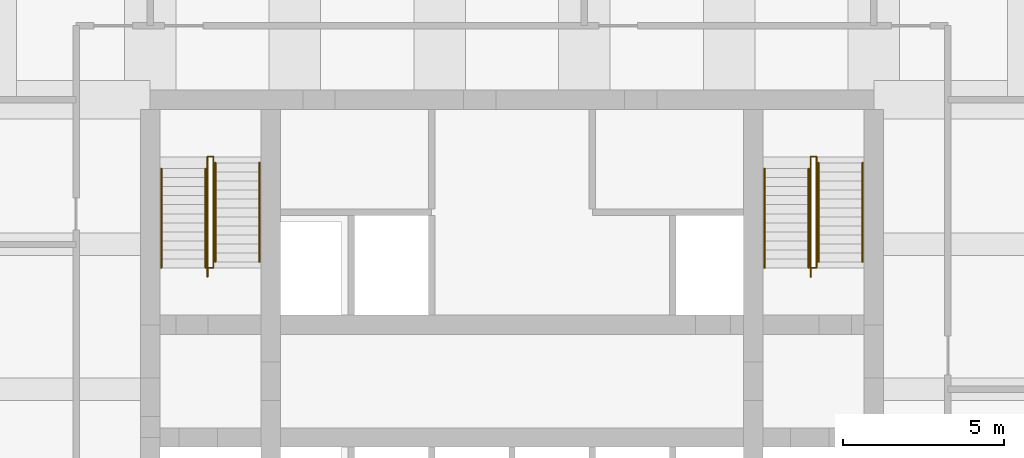
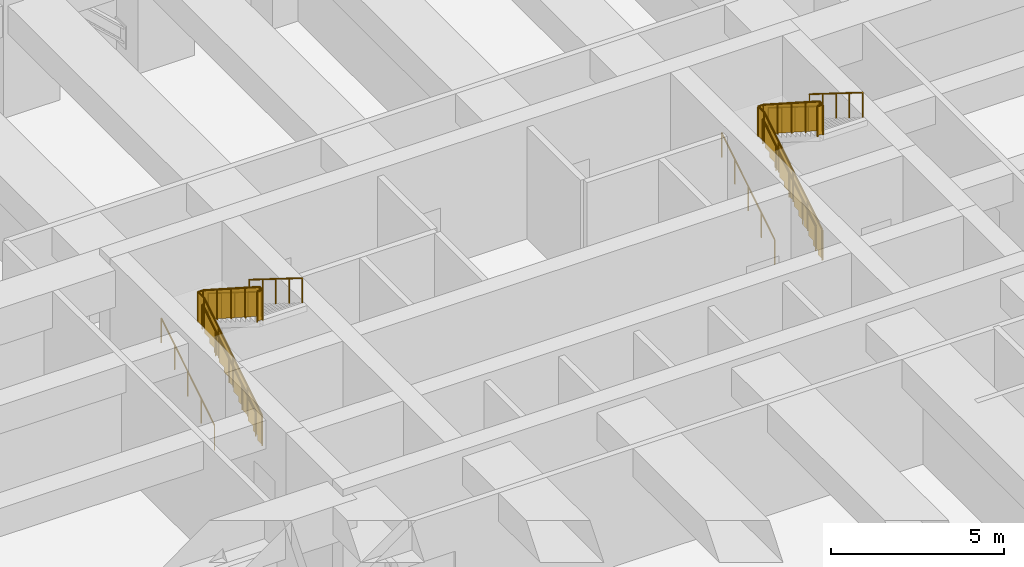
# One storey, part 16 of 16: 12 railings.
"""IFC4 building model written with IfcOpenShell, lengths in metres."""

from ifc_helpers import new_model, si_unit, direction, frame, origin, origin_2d, place, context, subcontext, project, spatial, polyline, circle, outline, extrude, material, type_object, element, save


model = new_model("IFC4")

# Units and contexts
model_context = context("Model", 3, precision=1e-05, world=origin(), true_north=direction((0.0, 1.0)))
body_context = subcontext(model_context, "Body", "Model", "MODEL_VIEW")
ifc_project = project(units=[si_unit("LENGTHUNIT", "METRE"), si_unit("AREAUNIT", "SQUARE_METRE"), si_unit("VOLUMEUNIT", "CUBIC_METRE"), si_unit("PLANEANGLEUNIT", "RADIAN"), si_unit("MASSUNIT", "GRAM", prefix="KILO")], contexts=[model_context])

# Site, building, storey
site_placement = place(None, origin())
site = spatial("IfcSite", under=ifc_project, at=site_placement, CompositionType="ELEMENT")
building_placement = place(site_placement, origin())
building = spatial("IfcBuilding", under=site, at=building_placement, Name="Kilele Tower Hotel", CompositionType="ELEMENT")
storey_placement = place(building_placement, frame((0.0, 0.0, 85.699951171875)))
storey = spatial("IfcBuildingStorey", under=building, at=storey_placement, Name="L21", CompositionType="ELEMENT", Elevation=85.699951171875)

# Railings
ifc_material_1 = material(Name="Steel handrail", Category="steel")
railing_type_1 = type_object("IfcRailingType", Name="Handrail 900", PredefinedType="HANDRAIL", material=ifc_material_1)
for number, where, name in (
    (1, (13.85009765625, 21.77490234375, 0.175048828125), "Handrail ST1 flight 1"),
    (2, (15.22509765625, 21.77490234375, 0.175048828125), "Handrail ST1 flight 1"),
):
    element("IfcRailing", number, at=place(storey_placement, frame(where)), inside=storey, type_object=railing_type_1, Name=name, PredefinedType="HANDRAIL", context=body_context, shape_type="SweptSolid", body=[
        extrude(circle(Radius=0.02490234375, at=origin_2d()), frame((0.0, 0.0, 0.875), z_axis=(0.0, 0.847998304005, 0.529998940003), x_axis=(-1.0, 0.0, 0.0)), (0.0, 0.0, 1.0), 3.632080078125),
        extrude(circle(Radius=0.02001953125, at=origin_2d()), origin(), (0.0, 0.0, 1.0), 0.849853515625),
        extrude(circle(Radius=0.02001953125, at=origin_2d()), frame((0.0, 0.77001953125, 0.481201171875)), (0.0, 0.0, 1.0), 0.849853515625),
        extrude(circle(Radius=0.02001953125, at=origin_2d()), frame((0.0, 1.5400390625, 0.96240234375)), (0.0, 0.0, 1.0), 0.849853515625),
        extrude(circle(Radius=0.02001953125, at=origin_2d()), frame((0.0, 2.31005859375, 1.44384765625)), (0.0, 0.0, 1.0), 0.849853515625),
        extrude(circle(Radius=0.02001953125, at=origin_2d()), frame((0.0, 3.080078125, 1.925048828125)), (0.0, 0.0, 1.0), 0.849853515625),
    ])
for number, where, name in (
    (3, (15.52490234375, 25.0400390625, 2.275146484375), "Handrail ST1 flight 2"),
    (4, (16.89990234375, 25.0400390625, 2.275146484375), "Handrail ST1 flight 2"),
):
    element("IfcRailing", number, at=place(storey_placement, frame(where)), inside=storey, type_object=railing_type_1, Name=name, PredefinedType="HANDRAIL", context=body_context, shape_type="SweptSolid", body=[
        extrude(circle(Radius=0.02490234375, at=origin_2d()), frame((0.0, 0.0, 0.875), z_axis=(0.0, -0.848028513186, 0.529950602248), x_axis=(1.0, 0.0, 0.0)), (0.0, 0.0, 1.0), 3.632080078125),
        extrude(circle(Radius=0.02001953125, at=origin_2d()), origin(), (0.0, 0.0, 1.0), 0.849853515625),
        extrude(circle(Radius=0.02001953125, at=origin_2d()), frame((0.0, -0.77001953125, 0.481201171875)), (0.0, 0.0, 1.0), 0.849853515625),
        extrude(circle(Radius=0.02001953125, at=origin_2d()), frame((0.0, -1.5400390625, 0.96240234375)), (0.0, 0.0, 1.0), 0.849853515625),
        extrude(circle(Radius=0.02001953125, at=origin_2d()), frame((0.0, -2.31005859375, 1.443603515625)), (0.0, 0.0, 1.0), 0.849853515625),
        extrude(circle(Radius=0.02001953125, at=origin_2d()), frame((0.0, -3.080078125, 1.9248046875)), (0.0, 0.0, 1.0), 0.849853515625),
    ])
for number, where, name in (
    (5, (32.60009765625, 21.77490234375, 0.175048828125), "Handrail ST2 flight 1"),
    (6, (33.97509765625, 21.77490234375, 0.175048828125), "Handrail ST2 flight 1"),
):
    element("IfcRailing", number, at=place(storey_placement, frame(where)), inside=storey, type_object=railing_type_1, Name=name, PredefinedType="HANDRAIL", context=body_context, shape_type="SweptSolid", body=[
        extrude(circle(Radius=0.02490234375, at=origin_2d()), frame((0.0, 0.0, 0.875), z_axis=(0.0, 0.847998304005, 0.529998940003), x_axis=(-1.0, 0.0, 0.0)), (0.0, 0.0, 1.0), 3.632080078125),
        extrude(circle(Radius=0.02001953125, at=origin_2d()), origin(), (0.0, 0.0, 1.0), 0.849853515625),
        extrude(circle(Radius=0.02001953125, at=origin_2d()), frame((0.0, 0.77001953125, 0.481201171875)), (0.0, 0.0, 1.0), 0.849853515625),
        extrude(circle(Radius=0.02001953125, at=origin_2d()), frame((0.0, 1.5400390625, 0.96240234375)), (0.0, 0.0, 1.0), 0.849853515625),
        extrude(circle(Radius=0.02001953125, at=origin_2d()), frame((0.0, 2.31005859375, 1.44384765625)), (0.0, 0.0, 1.0), 0.849853515625),
        extrude(circle(Radius=0.02001953125, at=origin_2d()), frame((0.0, 3.080078125, 1.925048828125)), (0.0, 0.0, 1.0), 0.849853515625),
    ])
for number, where, name in (
    (7, (34.27490234375, 25.0400390625, 2.275146484375), "Handrail ST2 flight 2"),
    (8, (35.64990234375, 25.0400390625, 2.275146484375), "Handrail ST2 flight 2"),
):
    element("IfcRailing", number, at=place(storey_placement, frame(where)), inside=storey, type_object=railing_type_1, Name=name, PredefinedType="HANDRAIL", context=body_context, shape_type="SweptSolid", body=[
        extrude(circle(Radius=0.02490234375, at=origin_2d()), frame((0.0, 0.0, 0.875), z_axis=(0.0, -0.848028513186, 0.529950602248), x_axis=(1.0, 0.0, 0.0)), (0.0, 0.0, 1.0), 3.632080078125),
        extrude(circle(Radius=0.02001953125, at=origin_2d()), origin(), (0.0, 0.0, 1.0), 0.849853515625),
        extrude(circle(Radius=0.02001953125, at=origin_2d()), frame((0.0, -0.77001953125, 0.481201171875)), (0.0, 0.0, 1.0), 0.849853515625),
        extrude(circle(Radius=0.02001953125, at=origin_2d()), frame((0.0, -1.5400390625, 0.96240234375)), (0.0, 0.0, 1.0), 0.849853515625),
        extrude(circle(Radius=0.02001953125, at=origin_2d()), frame((0.0, -2.31005859375, 1.443603515625)), (0.0, 0.0, 1.0), 0.849853515625),
        extrude(circle(Radius=0.02001953125, at=origin_2d()), frame((0.0, -3.080078125, 1.9248046875)), (0.0, 0.0, 1.0), 0.849853515625),
    ])
ifc_material_2 = material(Name="Steel guard", Category="steel")
railing_type_2 = type_object("IfcRailingType", Name="Stair guard 1100", PredefinedType="GUARDRAIL", material=ifc_material_2)
railing_1_placement = place(storey_placement, frame((15.284912109375, 21.4951171875, 0.0)))
element("IfcRailing", 9, at=railing_1_placement, inside=storey, type_object=railing_type_2, Name="Stair well guard ST1 flight 1", PredefinedType="GUARDRAIL", context=body_context, shape_type="SweptSolid", body=[
    extrude(circle(Radius=0.02490234375, at=origin_2d()), frame((0.0, 0.0, 1.0751953125), z_axis=(0.0, 0.847977533471, 0.530032171408), x_axis=(-1.0, 0.0, 0.0)), (0.0, 0.0, 1.0), 3.962158203125),
    extrude(circle(Radius=0.02490234375, at=origin_2d()), frame((0.0, 3.35986328125, 3.17529296875), z_axis=(0.0, 1.0, 0.0), x_axis=(-1.0, 0.0, 0.0)), (0.0, 0.0, 1.0), 0.3701171875),
    extrude(circle(Radius=0.02490234375, at=origin_2d()), frame((0.0, 3.72998046875, 3.17529296875), z_axis=(1.0, 0.0, 0.0), x_axis=(0.0, 1.0, 0.0)), (0.0, 0.0, 1.0), 0.18017578125),
    extrude(circle(Radius=0.02490234375, at=origin_2d()), origin(), (0.0, 0.0, 1.0), 1.050048828125),
    extrude(circle(Radius=0.02490234375, at=origin_2d()), frame((0.0, 0.83984375, 0.52490234375)), (0.0, 0.0, 1.0), 1.050048828125),
    extrude(circle(Radius=0.02490234375, at=origin_2d()), frame((0.0, 1.679931640625, 1.050048828125)), (0.0, 0.0, 1.0), 1.050048828125),
    extrude(circle(Radius=0.02490234375, at=origin_2d()), frame((0.0, 2.52001953125, 1.5751953125)), (0.0, 0.0, 1.0), 1.050048828125),
    extrude(circle(Radius=0.02490234375, at=origin_2d()), frame((0.0, 3.35986328125, 2.10009765625)), (0.0, 0.0, 1.0), 1.050048828125),
    extrude(circle(Radius=0.02490234375, at=origin_2d()), frame((0.0, 3.72998046875, 2.10009765625)), (0.0, 0.0, 1.0), 1.050048828125),
    extrude(circle(Radius=0.02490234375, at=origin_2d()), frame((0.18017578125, 3.72998046875, 2.10009765625)), (0.0, 0.0, 1.0), 1.050048828125),
    extrude(outline(polyline([(0.012451171875, 0.030029296875), (0.25, 0.030029296875), (0.25, 0.205078125), (0.530029296875, 0.205078125), (0.530029296875, 0.380126953125), (0.81005859375, 0.380126953125), (0.81005859375, 0.55517578125), (1.08984375, 0.55517578125), (1.08984375, 0.72998046875), (1.369873046875, 0.72998046875), (1.369873046875, 0.905029296875), (1.64990234375, 0.905029296875), (1.64990234375, 1.080078125), (1.929931640625, 1.080078125), (1.929931640625, 1.255126953125), (2.2099609375, 1.255126953125), (2.2099609375, 1.43017578125), (2.48974609375, 1.43017578125), (2.48974609375, 1.60498046875), (2.769775390625, 1.60498046875), (2.769775390625, 1.780029296875), (3.0498046875, 1.780029296875), (3.0498046875, 1.955078125), (3.329833984375, 1.955078125), (3.329833984375, 2.130126953125), (3.347412109375, 2.130126953125), (3.347412109375, 3.137939453125), (0.012451171875, 1.053466796875), (0.012451171875, 0.030029296875)])), frame((-0.005859375, 0.0, 0.0), z_axis=(1.0, 0.0, 0.0), x_axis=(0.0, 1.0, 0.0)), (0.0, 0.0, 1.0), 0.011962890625),
    extrude(outline(polyline([(0.012451171875, 0.030029296875), (0.357666015625, 0.030029296875), (0.357666015625, 1.050048828125), (0.012451171875, 1.050048828125), (0.012451171875, 0.030029296875)])), frame((-0.005859375, 3.35986328125, 2.10009765625), z_axis=(1.0, 0.0, 0.0), x_axis=(0.0, 1.0, 0.0)), (0.0, 0.0, 1.0), 0.011962890625),
    extrude(outline(polyline([(0.012451171875, 0.030029296875), (0.18017578125, 0.030029296875), (0.18017578125, 1.050048828125), (0.012451171875, 1.050048828125), (0.012451171875, 0.030029296875)])), frame((0.0, 3.73583984375, 2.10009765625), z_axis=(0.0, -1.0, 0.0), x_axis=(1.0, 0.0, 0.0)), (0.0, 0.0, 1.0), 0.011962890625),
])
railing_2_placement = place(storey_placement, frame((15.465087890625, 25.22509765625, 2.10009765625)))
element("IfcRailing", 10, at=railing_2_placement, inside=storey, type_object=railing_type_2, Name="Stair well guard ST1 flight 2", PredefinedType="GUARDRAIL", context=body_context, shape_type="SweptSolid", body=[
    extrude(circle(Radius=0.02490234375, at=origin_2d()), frame((0.0, 0.0, 1.0751953125), z_axis=(0.0, -0.841080381607, 0.540910151204), x_axis=(1.0, 0.0, 0.0)), (0.0, 0.0, 1.0), 3.882080078125),
    extrude(circle(Radius=0.02490234375, at=origin_2d()), frame((0.0, -3.26513671875, 3.1748046875), z_axis=(0.0, -1.0, 0.0), x_axis=(1.0, 0.0, 0.0)), (0.0, 0.0, 1.0), 0.18505859375),
    extrude(circle(Radius=0.02490234375, at=origin_2d()), frame((0.0, -3.4501953125, 3.1748046875), z_axis=(-1.0, 0.0, 0.0), x_axis=(0.0, -1.0, 0.0)), (0.0, 0.0, 1.0), 0.18017578125),
    extrude(circle(Radius=0.02490234375, at=origin_2d()), origin(), (0.0, 0.0, 1.0), 1.050048828125),
    extrude(circle(Radius=0.02490234375, at=origin_2d()), frame((0.0, -0.81640625, 0.52490234375)), (0.0, 0.0, 1.0), 1.050048828125),
    extrude(circle(Radius=0.02490234375, at=origin_2d()), frame((0.0, -1.632568359375, 1.0498046875)), (0.0, 0.0, 1.0), 1.050048828125),
    extrude(circle(Radius=0.02490234375, at=origin_2d()), frame((0.0, -2.44873046875, 1.574951171875)), (0.0, 0.0, 1.0), 1.050048828125),
    extrude(circle(Radius=0.02490234375, at=origin_2d()), frame((0.0, -3.26513671875, 2.099853515625)), (0.0, 0.0, 1.0), 1.050048828125),
    extrude(circle(Radius=0.02490234375, at=origin_2d()), frame((0.0, -3.4501953125, 2.099853515625)), (0.0, 0.0, 1.0), 1.050048828125),
    extrude(circle(Radius=0.02490234375, at=origin_2d()), frame((-0.18017578125, -3.4501953125, 2.099853515625)), (0.0, 0.0, 1.0), 1.050048828125),
    extrude(outline(polyline([(0.0, 0.030029296875), (3.252685546875, 2.121826171875), (3.252685546875, 3.13720703125), (0.0, 1.04541015625), (0.0, 0.030029296875)])), frame((0.005859375, 0.0, 0.0), z_axis=(-1.0, 0.0, 0.0), x_axis=(0.0, -1.0, 0.0)), (0.0, 0.0, 1.0), 0.011962890625),
    extrude(outline(polyline([(0.012451171875, 0.030029296875), (0.172607421875, 0.030029296875), (0.172607421875, 1.050048828125), (0.012451171875, 1.050048828125), (0.012451171875, 0.030029296875)])), frame((0.005859375, -3.26513671875, 2.099853515625), z_axis=(-1.0, 0.0, 0.0), x_axis=(0.0, -1.0, 0.0)), (0.0, 0.0, 1.0), 0.011962890625),
    extrude(outline(polyline([(0.012451171875, 0.030029296875), (0.18017578125, 0.030029296875), (0.18017578125, 1.050048828125), (0.012451171875, 1.050048828125), (0.012451171875, 0.030029296875)])), frame((0.0, -3.4560546875, 2.099853515625), z_axis=(0.0, 1.0, 0.0), x_axis=(-1.0, 0.0, 0.0)), (0.0, 0.0, 1.0), 0.011962890625),
])
railing_3_placement = place(storey_placement, frame((34.034912109375, 21.4951171875, 0.0)))
element("IfcRailing", 11, at=railing_3_placement, inside=storey, type_object=railing_type_2, Name="Stair well guard ST2 flight 1", PredefinedType="GUARDRAIL", context=body_context, shape_type="SweptSolid", body=[
    extrude(circle(Radius=0.02490234375, at=origin_2d()), frame((0.0, 0.0, 1.0751953125), z_axis=(0.0, 0.847977533471, 0.530032171408), x_axis=(-1.0, 0.0, 0.0)), (0.0, 0.0, 1.0), 3.962158203125),
    extrude(circle(Radius=0.02490234375, at=origin_2d()), frame((0.0, 3.35986328125, 3.17529296875), z_axis=(0.0, 1.0, 0.0), x_axis=(-1.0, 0.0, 0.0)), (0.0, 0.0, 1.0), 0.3701171875),
    extrude(circle(Radius=0.02490234375, at=origin_2d()), frame((0.0, 3.72998046875, 3.17529296875), z_axis=(1.0, 0.0, 0.0), x_axis=(0.0, 1.0, 0.0)), (0.0, 0.0, 1.0), 0.18017578125),
    extrude(circle(Radius=0.02490234375, at=origin_2d()), origin(), (0.0, 0.0, 1.0), 1.050048828125),
    extrude(circle(Radius=0.02490234375, at=origin_2d()), frame((0.0, 0.83984375, 0.52490234375)), (0.0, 0.0, 1.0), 1.050048828125),
    extrude(circle(Radius=0.02490234375, at=origin_2d()), frame((0.0, 1.679931640625, 1.050048828125)), (0.0, 0.0, 1.0), 1.050048828125),
    extrude(circle(Radius=0.02490234375, at=origin_2d()), frame((0.0, 2.52001953125, 1.5751953125)), (0.0, 0.0, 1.0), 1.050048828125),
    extrude(circle(Radius=0.02490234375, at=origin_2d()), frame((0.0, 3.35986328125, 2.10009765625)), (0.0, 0.0, 1.0), 1.050048828125),
    extrude(circle(Radius=0.02490234375, at=origin_2d()), frame((0.0, 3.72998046875, 2.10009765625)), (0.0, 0.0, 1.0), 1.050048828125),
    extrude(circle(Radius=0.02490234375, at=origin_2d()), frame((0.18017578125, 3.72998046875, 2.10009765625)), (0.0, 0.0, 1.0), 1.050048828125),
    extrude(outline(polyline([(0.012451171875, 0.030029296875), (0.25, 0.030029296875), (0.25, 0.205078125), (0.530029296875, 0.205078125), (0.530029296875, 0.380126953125), (0.81005859375, 0.380126953125), (0.81005859375, 0.55517578125), (1.08984375, 0.55517578125), (1.08984375, 0.72998046875), (1.369873046875, 0.72998046875), (1.369873046875, 0.905029296875), (1.64990234375, 0.905029296875), (1.64990234375, 1.080078125), (1.929931640625, 1.080078125), (1.929931640625, 1.255126953125), (2.2099609375, 1.255126953125), (2.2099609375, 1.43017578125), (2.48974609375, 1.43017578125), (2.48974609375, 1.60498046875), (2.769775390625, 1.60498046875), (2.769775390625, 1.780029296875), (3.0498046875, 1.780029296875), (3.0498046875, 1.955078125), (3.329833984375, 1.955078125), (3.329833984375, 2.130126953125), (3.347412109375, 2.130126953125), (3.347412109375, 3.137939453125), (0.012451171875, 1.053466796875), (0.012451171875, 0.030029296875)])), frame((-0.005859375, 0.0, 0.0), z_axis=(1.0, 0.0, 0.0), x_axis=(0.0, 1.0, 0.0)), (0.0, 0.0, 1.0), 0.011962890625),
    extrude(outline(polyline([(0.012451171875, 0.030029296875), (0.357666015625, 0.030029296875), (0.357666015625, 1.050048828125), (0.012451171875, 1.050048828125), (0.012451171875, 0.030029296875)])), frame((-0.005859375, 3.35986328125, 2.10009765625), z_axis=(1.0, 0.0, 0.0), x_axis=(0.0, 1.0, 0.0)), (0.0, 0.0, 1.0), 0.011962890625),
    extrude(outline(polyline([(0.012451171875, 0.030029296875), (0.18017578125, 0.030029296875), (0.18017578125, 1.050048828125), (0.012451171875, 1.050048828125), (0.012451171875, 0.030029296875)])), frame((0.0, 3.73583984375, 2.10009765625), z_axis=(0.0, -1.0, 0.0), x_axis=(1.0, 0.0, 0.0)), (0.0, 0.0, 1.0), 0.011962890625),
])
railing_4_placement = place(storey_placement, frame((34.215087890625, 25.22509765625, 2.10009765625)))
element("IfcRailing", 12, at=railing_4_placement, inside=storey, type_object=railing_type_2, Name="Stair well guard ST2 flight 2", PredefinedType="GUARDRAIL", context=body_context, shape_type="SweptSolid", body=[
    extrude(circle(Radius=0.02490234375, at=origin_2d()), frame((0.0, 0.0, 1.0751953125), z_axis=(0.0, -0.841080381607, 0.540910151204), x_axis=(1.0, 0.0, 0.0)), (0.0, 0.0, 1.0), 3.882080078125),
    extrude(circle(Radius=0.02490234375, at=origin_2d()), frame((0.0, -3.26513671875, 3.1748046875), z_axis=(0.0, -1.0, 0.0), x_axis=(1.0, 0.0, 0.0)), (0.0, 0.0, 1.0), 0.18505859375),
    extrude(circle(Radius=0.02490234375, at=origin_2d()), frame((0.0, -3.4501953125, 3.1748046875), z_axis=(-1.0, 0.0, 0.0), x_axis=(0.0, -1.0, 0.0)), (0.0, 0.0, 1.0), 0.18017578125),
    extrude(circle(Radius=0.02490234375, at=origin_2d()), origin(), (0.0, 0.0, 1.0), 1.050048828125),
    extrude(circle(Radius=0.02490234375, at=origin_2d()), frame((0.0, -0.81640625, 0.52490234375)), (0.0, 0.0, 1.0), 1.050048828125),
    extrude(circle(Radius=0.02490234375, at=origin_2d()), frame((0.0, -1.632568359375, 1.0498046875)), (0.0, 0.0, 1.0), 1.050048828125),
    extrude(circle(Radius=0.02490234375, at=origin_2d()), frame((0.0, -2.44873046875, 1.574951171875)), (0.0, 0.0, 1.0), 1.050048828125),
    extrude(circle(Radius=0.02490234375, at=origin_2d()), frame((0.0, -3.26513671875, 2.099853515625)), (0.0, 0.0, 1.0), 1.050048828125),
    extrude(circle(Radius=0.02490234375, at=origin_2d()), frame((0.0, -3.4501953125, 2.099853515625)), (0.0, 0.0, 1.0), 1.050048828125),
    extrude(circle(Radius=0.02490234375, at=origin_2d()), frame((-0.18017578125, -3.4501953125, 2.099853515625)), (0.0, 0.0, 1.0), 1.050048828125),
    extrude(outline(polyline([(0.0, 0.030029296875), (3.252685546875, 2.121826171875), (3.252685546875, 3.13720703125), (0.0, 1.04541015625), (0.0, 0.030029296875)])), frame((0.005859375, 0.0, 0.0), z_axis=(-1.0, 0.0, 0.0), x_axis=(0.0, -1.0, 0.0)), (0.0, 0.0, 1.0), 0.011962890625),
    extrude(outline(polyline([(0.012451171875, 0.030029296875), (0.172607421875, 0.030029296875), (0.172607421875, 1.050048828125), (0.012451171875, 1.050048828125), (0.012451171875, 0.030029296875)])), frame((0.005859375, -3.26513671875, 2.099853515625), z_axis=(-1.0, 0.0, 0.0), x_axis=(0.0, -1.0, 0.0)), (0.0, 0.0, 1.0), 0.011962890625),
    extrude(outline(polyline([(0.012451171875, 0.030029296875), (0.18017578125, 0.030029296875), (0.18017578125, 1.050048828125), (0.012451171875, 1.050048828125), (0.012451171875, 0.030029296875)])), frame((0.0, -3.4560546875, 2.099853515625), z_axis=(0.0, 1.0, 0.0), x_axis=(-1.0, 0.0, 0.0)), (0.0, 0.0, 1.0), 0.011962890625),
])

save(model, "model.ifc")
